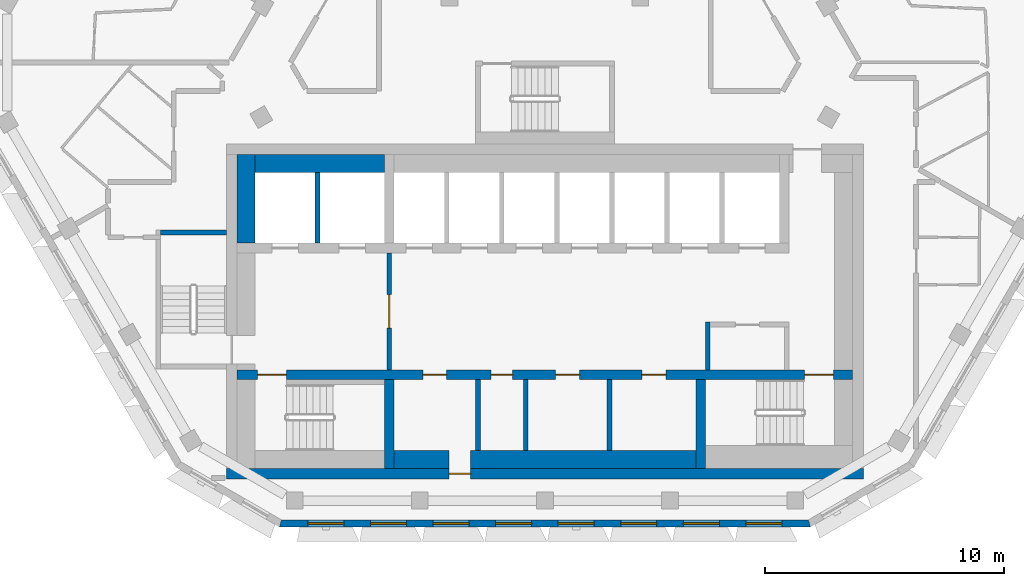
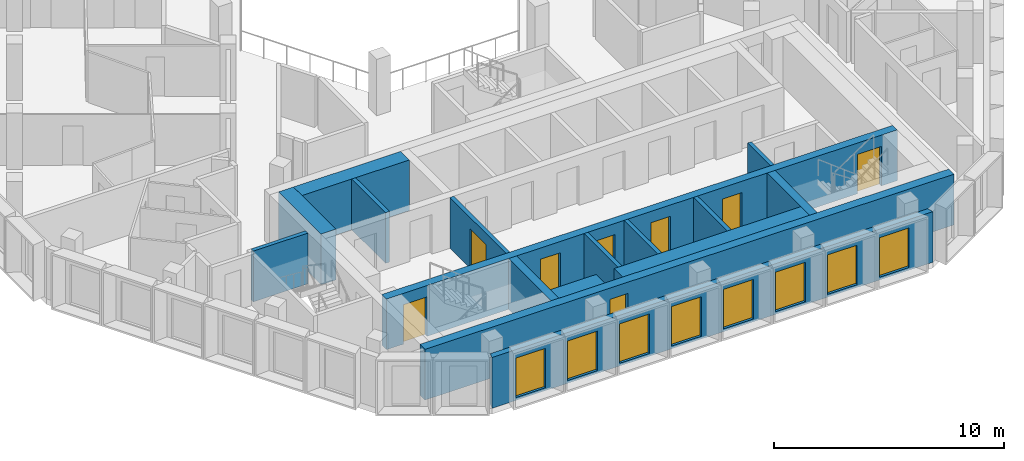
# One storey, part 3 of 16: 16 walls, 8 doors, 8 windows, 16 openings.
"""IFC4 building model written with IfcOpenShell, lengths in metres."""

from ifc_helpers import new_model, si_unit, direction, frame, frame_2d, origin, place, context, subcontext, project, spatial, polyline, rectangle, outline, extrude, material, layer, layer_set, type_object, element, fill, save


model = new_model("IFC4")

# Units and contexts
model_context = context("Model", 3, precision=1e-05, world=origin(), true_north=direction((0.0, 1.0)))
body_context = subcontext(model_context, "Body", "Model", "MODEL_VIEW")
ifc_project = project(units=[si_unit("LENGTHUNIT", "METRE"), si_unit("AREAUNIT", "SQUARE_METRE"), si_unit("VOLUMEUNIT", "CUBIC_METRE"), si_unit("PLANEANGLEUNIT", "RADIAN"), si_unit("MASSUNIT", "GRAM", prefix="KILO")], contexts=[model_context])

# Site, building, storey
site_placement = place(None, origin())
site = spatial("IfcSite", under=ifc_project, at=site_placement, CompositionType="ELEMENT")
building_placement = place(site_placement, origin())
building = spatial("IfcBuilding", under=site, at=building_placement, Name="Beryl Residences", CompositionType="ELEMENT")
storey_placement = place(building_placement, frame((0.0, 0.0, 220.800048828125)))
storey = spatial("IfcBuildingStorey", under=building, at=storey_placement, Name="L68", CompositionType="ELEMENT", Elevation=220.800048828125)

# Wall, openings, windows
ifc_material_1 = material(Name="Composite metal panel with mineral wool insulation")
ifc_layer_1 = layer(ifc_material_1, 0.300048828125)
ifc_layer_set_1 = layer_set([ifc_layer_1], Name="ES1 pale metal composite panel wall 300 mm")
wall_type_1 = type_object("IfcWallType", Name="ES1 pale metal composite panel wall 300 mm", PredefinedType="SOLIDWALL", material=ifc_layer_set_1)
wall_1_placement = place(storey_placement, frame((-11.0849609375, -20.85009765625, 0.0), z_axis=(0.0, 0.0, 1.0), x_axis=(1.0, 0.0, 0.0)))
wall_1 = element("IfcWall", 1, at=wall_1_placement, inside=storey, type_object=wall_type_1, Name="ES1 external wall L68 S", PredefinedType="SOLIDWALL", context=body_context, shape_type="SweptSolid", body=[
    extrude(outline(polyline([(0.0, -0.14990234375), (22.169921875, -0.14990234375), (22.089599609375, 0.14990234375), (0.080322265625, 0.14990234375), (0.0, -0.14990234375)])), origin(), (0.0, 0.0, 1.0), 2.699951171875),
])
opening_1_placement = place(wall_1_placement, frame((1.19091796875, 0.0, 0.14990234375)))
opening_1 = element("IfcOpeningElement", 2, at=opening_1_placement, cuts=wall_1, Name="Opening W1", PredefinedType="OPENING", context=body_context, shape_type="SweptSolid", body=[
    extrude(rectangle(XDim=1.5, YDim=2.10009765625, at=frame_2d((0.75, 1.050048828125))), frame((0.0, 0.159912109375, 0.0), z_axis=(0.0, -1.0, 0.0), x_axis=(1.0, 0.0, 0.0)), (0.0, 0.0, 1.0), 0.320068359375),
])
opening_2_placement = place(wall_1_placement, frame((3.803955078125, 0.0, 0.14990234375)))
opening_2 = element("IfcOpeningElement", 3, at=opening_2_placement, cuts=wall_1, Name="Opening W1", PredefinedType="OPENING", context=body_context, shape_type="SweptSolid", body=[
    extrude(rectangle(XDim=1.5, YDim=2.10009765625, at=frame_2d((0.75, 1.050048828125))), frame((0.0, 0.159912109375, 0.0), z_axis=(0.0, -1.0, 0.0), x_axis=(1.0, 0.0, 0.0)), (0.0, 0.0, 1.0), 0.320068359375),
])
opening_3_placement = place(wall_1_placement, frame((6.416015625, 0.0, 0.14990234375)))
opening_3 = element("IfcOpeningElement", 4, at=opening_3_placement, cuts=wall_1, Name="Opening W1", PredefinedType="OPENING", context=body_context, shape_type="SweptSolid", body=[
    extrude(rectangle(XDim=1.5, YDim=2.10009765625, at=frame_2d((0.75, 1.050048828125))), frame((0.0, 0.159912109375, 0.0), z_axis=(0.0, -1.0, 0.0), x_axis=(1.0, 0.0, 0.0)), (0.0, 0.0, 1.0), 0.320068359375),
])
opening_4_placement = place(wall_1_placement, frame((9.029052734375, 0.0, 0.14990234375)))
opening_4 = element("IfcOpeningElement", 5, at=opening_4_placement, cuts=wall_1, Name="Opening W1", PredefinedType="OPENING", context=body_context, shape_type="SweptSolid", body=[
    extrude(rectangle(XDim=1.5, YDim=2.10009765625, at=frame_2d((0.75, 1.050048828125))), frame((0.0, 0.159912109375, 0.0), z_axis=(0.0, -1.0, 0.0), x_axis=(1.0, 0.0, 0.0)), (0.0, 0.0, 1.0), 0.320068359375),
])
opening_5_placement = place(wall_1_placement, frame((11.64111328125, 0.0, 0.14990234375)))
opening_5 = element("IfcOpeningElement", 6, at=opening_5_placement, cuts=wall_1, Name="Opening W1", PredefinedType="OPENING", context=body_context, shape_type="SweptSolid", body=[
    extrude(rectangle(XDim=1.5, YDim=2.10009765625, at=frame_2d((0.75, 1.050048828125))), frame((0.0, 0.159912109375, 0.0), z_axis=(0.0, -1.0, 0.0), x_axis=(1.0, 0.0, 0.0)), (0.0, 0.0, 1.0), 0.320068359375),
])
opening_6_placement = place(wall_1_placement, frame((14.25390625, 0.0, 0.14990234375)))
opening_6 = element("IfcOpeningElement", 7, at=opening_6_placement, cuts=wall_1, Name="Opening W1", PredefinedType="OPENING", context=body_context, shape_type="SweptSolid", body=[
    extrude(rectangle(XDim=1.5, YDim=2.10009765625, at=frame_2d((0.75, 1.050048828125))), frame((0.0, 0.159912109375, 0.0), z_axis=(0.0, -1.0, 0.0), x_axis=(1.0, 0.0, 0.0)), (0.0, 0.0, 1.0), 0.320068359375),
])
opening_7_placement = place(wall_1_placement, frame((16.865966796875, 0.0, 0.14990234375)))
opening_7 = element("IfcOpeningElement", 8, at=opening_7_placement, cuts=wall_1, Name="Opening W1", PredefinedType="OPENING", context=body_context, shape_type="SweptSolid", body=[
    extrude(rectangle(XDim=1.5, YDim=2.10009765625, at=frame_2d((0.75, 1.050048828125))), frame((0.0, 0.159912109375, 0.0), z_axis=(0.0, -1.0, 0.0), x_axis=(1.0, 0.0, 0.0)), (0.0, 0.0, 1.0), 0.320068359375),
])
opening_8_placement = place(wall_1_placement, frame((19.47900390625, 0.0, 0.14990234375)))
opening_8 = element("IfcOpeningElement", 9, at=opening_8_placement, cuts=wall_1, Name="Opening W1", PredefinedType="OPENING", context=body_context, shape_type="SweptSolid", body=[
    extrude(rectangle(XDim=1.5, YDim=2.10009765625, at=frame_2d((0.75, 1.050048828125))), frame((0.0, 0.159912109375, 0.0), z_axis=(0.0, -1.0, 0.0), x_axis=(1.0, 0.0, 0.0)), (0.0, 0.0, 1.0), 0.320068359375),
])
ifc_material_2 = material(Name="Aluminium and clear glass", Category="aluminium")
window_type = type_object("IfcWindowType", Name="W1 cell window 1500 x 2100 mm", PartitioningType="SINGLE_PANEL", PredefinedType="WINDOW", material=ifc_material_2)
window_1_placement = place(opening_1_placement, origin())
window_1 = element("IfcWindow", 10, at=window_1_placement, inside=storey, type_object=window_type, Name="W1 window L68 S 1", OverallHeight=2.10009765625, OverallWidth=1.5, PartitioningType="SINGLE_PANEL", PredefinedType="WINDOW", context=body_context, shape_type="SweptSolid", body=[
    extrude(rectangle(XDim=1.5, YDim=2.10009765625, at=frame_2d((0.75, 1.050048828125))), frame((0.0, 0.030029296875, 0.0), z_axis=(0.0, -1.0, 0.0), x_axis=(1.0, 0.0, 0.0)), (0.0, 0.0, 1.0), 0.06005859375),
])
fill(opening_1, window_1)
window_2_placement = place(opening_2_placement, origin())
window_2 = element("IfcWindow", 11, at=window_2_placement, inside=storey, type_object=window_type, Name="W1 window L68 S 2", OverallHeight=2.10009765625, OverallWidth=1.5, PartitioningType="SINGLE_PANEL", PredefinedType="WINDOW", context=body_context, shape_type="SweptSolid", body=[
    extrude(rectangle(XDim=1.5, YDim=2.10009765625, at=frame_2d((0.75, 1.050048828125))), frame((0.0, 0.030029296875, 0.0), z_axis=(0.0, -1.0, 0.0), x_axis=(1.0, 0.0, 0.0)), (0.0, 0.0, 1.0), 0.06005859375),
])
fill(opening_2, window_2)
window_3_placement = place(opening_3_placement, origin())
window_3 = element("IfcWindow", 12, at=window_3_placement, inside=storey, type_object=window_type, Name="W1 window L68 S 3", OverallHeight=2.10009765625, OverallWidth=1.5, PartitioningType="SINGLE_PANEL", PredefinedType="WINDOW", context=body_context, shape_type="SweptSolid", body=[
    extrude(rectangle(XDim=1.5, YDim=2.10009765625, at=frame_2d((0.75, 1.050048828125))), frame((0.0, 0.030029296875, 0.0), z_axis=(0.0, -1.0, 0.0), x_axis=(1.0, 0.0, 0.0)), (0.0, 0.0, 1.0), 0.06005859375),
])
fill(opening_3, window_3)
window_4_placement = place(opening_4_placement, origin())
window_4 = element("IfcWindow", 13, at=window_4_placement, inside=storey, type_object=window_type, Name="W1 window L68 S 4", OverallHeight=2.10009765625, OverallWidth=1.5, PartitioningType="SINGLE_PANEL", PredefinedType="WINDOW", context=body_context, shape_type="SweptSolid", body=[
    extrude(rectangle(XDim=1.5, YDim=2.10009765625, at=frame_2d((0.75, 1.050048828125))), frame((0.0, 0.030029296875, 0.0), z_axis=(0.0, -1.0, 0.0), x_axis=(1.0, 0.0, 0.0)), (0.0, 0.0, 1.0), 0.06005859375),
])
fill(opening_4, window_4)
window_5_placement = place(opening_5_placement, origin())
window_5 = element("IfcWindow", 14, at=window_5_placement, inside=storey, type_object=window_type, Name="W1 window L68 S 5", OverallHeight=2.10009765625, OverallWidth=1.5, PartitioningType="SINGLE_PANEL", PredefinedType="WINDOW", context=body_context, shape_type="SweptSolid", body=[
    extrude(rectangle(XDim=1.5, YDim=2.10009765625, at=frame_2d((0.75, 1.050048828125))), frame((0.0, 0.030029296875, 0.0), z_axis=(0.0, -1.0, 0.0), x_axis=(1.0, 0.0, 0.0)), (0.0, 0.0, 1.0), 0.06005859375),
])
fill(opening_5, window_5)
window_6_placement = place(opening_6_placement, origin())
window_6 = element("IfcWindow", 15, at=window_6_placement, inside=storey, type_object=window_type, Name="W1 window L68 S 6", OverallHeight=2.10009765625, OverallWidth=1.5, PartitioningType="SINGLE_PANEL", PredefinedType="WINDOW", context=body_context, shape_type="SweptSolid", body=[
    extrude(rectangle(XDim=1.5, YDim=2.10009765625, at=frame_2d((0.75, 1.050048828125))), frame((0.0, 0.030029296875, 0.0), z_axis=(0.0, -1.0, 0.0), x_axis=(1.0, 0.0, 0.0)), (0.0, 0.0, 1.0), 0.06005859375),
])
fill(opening_6, window_6)
window_7_placement = place(opening_7_placement, origin())
window_7 = element("IfcWindow", 16, at=window_7_placement, inside=storey, type_object=window_type, Name="W1 window L68 S 7", OverallHeight=2.10009765625, OverallWidth=1.5, PartitioningType="SINGLE_PANEL", PredefinedType="WINDOW", context=body_context, shape_type="SweptSolid", body=[
    extrude(rectangle(XDim=1.5, YDim=2.10009765625, at=frame_2d((0.75, 1.050048828125))), frame((0.0, 0.030029296875, 0.0), z_axis=(0.0, -1.0, 0.0), x_axis=(1.0, 0.0, 0.0)), (0.0, 0.0, 1.0), 0.06005859375),
])
fill(opening_7, window_7)
window_8_placement = place(opening_8_placement, origin())
window_8 = element("IfcWindow", 17, at=window_8_placement, inside=storey, type_object=window_type, Name="W1 window L68 S 8", OverallHeight=2.10009765625, OverallWidth=1.5, PartitioningType="SINGLE_PANEL", PredefinedType="WINDOW", context=body_context, shape_type="SweptSolid", body=[
    extrude(rectangle(XDim=1.5, YDim=2.10009765625, at=frame_2d((0.75, 1.050048828125))), frame((0.0, 0.030029296875, 0.0), z_axis=(0.0, -1.0, 0.0), x_axis=(1.0, 0.0, 0.0)), (0.0, 0.0, 1.0), 0.06005859375),
])
fill(opening_8, window_8)

# Wall, opening, door
ifc_material_3 = material(Name="Concrete masonry", Category="masonry")
ifc_layer_2 = layer(ifc_material_3, 0.199951171875)
ifc_layer_set_2 = layer_set([ifc_layer_2], Name="PT13 lobby wall 200 mm")
wall_type_2 = type_object("IfcWallType", Name="PT13 lobby wall 200 mm", PredefinedType="PARTITIONING", material=ifc_layer_set_2)
wall_2_placement = place(storey_placement, frame((-6.5, -14.449951171875, 0.0), z_axis=(0.0, 0.0, 1.0), x_axis=(0.0, 1.0, 0.0)))
wall_2 = element("IfcWall", 18, at=wall_2_placement, inside=storey, type_object=wall_type_2, Name="Lobby wall 12", PredefinedType="PARTITIONING", context=body_context, shape_type="SweptSolid", body=[
    extrude(rectangle(XDim=4.89990234375, YDim=0.199951171875, at=frame_2d((2.449951171875, 0.0))), origin(), (0.0, 0.0, 1.0), 2.699951171875),
])
opening_9_placement = place(wall_2_placement, frame((3.14990234375, 0.0, 0.0), z_axis=(0.0, 0.0, 1.0), x_axis=(-1.0, 0.0, 0.0)))
opening_9 = element("IfcOpeningElement", 19, at=opening_9_placement, cuts=wall_2, Name="Opening FD-FFL", PredefinedType="OPENING", context=body_context, shape_type="SweptSolid", body=[
    extrude(rectangle(XDim=1.39990234375, YDim=2.10009765625, at=frame_2d((0.699951171875, 1.050048828125))), frame((0.0, 0.10986328125, 0.0), z_axis=(0.0, -1.0, 0.0), x_axis=(1.0, 0.0, 0.0)), (0.0, 0.0, 1.0), 0.219970703125),
])
ifc_material_4 = material(Name="Steel door leaf in steel frame", Category="steel")
door_type_1 = type_object("IfcDoorType", Name="D5 lobby door 1400 x 2100 mm", OperationType="DOUBLE_DOOR_SINGLE_SWING", PredefinedType="DOOR", material=ifc_material_4)
door_1_placement = place(opening_9_placement, origin())
door_1 = element("IfcDoor", 20, at=door_1_placement, inside=storey, type_object=door_type_1, Name="Door FD-FFL L68 001", OperationType="DOUBLE_DOOR_SINGLE_SWING", OverallHeight=2.10009765625, OverallWidth=1.39990234375, PredefinedType="DOOR", context=body_context, shape_type="SweptSolid", body=[
    extrude(rectangle(XDim=1.39990234375, YDim=2.10009765625, at=frame_2d((0.699951171875, 1.050048828125))), frame((0.0, 0.02490234375, 0.0), z_axis=(0.0, -1.0, 0.0), x_axis=(1.0, 0.0, 0.0)), (0.0, 0.0, 1.0), 0.050048828125),
])
fill(opening_9, door_1)

# Walls
wall_3_placement = place(storey_placement, frame((6.800048828125, -14.449951171875, 0.0), z_axis=(0.0, 0.0, 1.0), x_axis=(0.0, 1.0, 0.0)))
element("IfcWall", 21, at=wall_3_placement, inside=storey, type_object=wall_type_2, Name="Lobby wall 25", PredefinedType="PARTITIONING", context=body_context, shape_type="SweptSolid", body=[
    extrude(rectangle(XDim=2.0, YDim=0.199951171875, at=frame_2d((1.0, 0.0))), origin(), (0.0, 0.0, 1.0), 2.699951171875),
])
ifc_material_5 = material(Name="Concrete C40/50", Category="concrete")
ifc_layer_3 = layer(ifc_material_5, 0.199951171875)
ifc_layer_set_3 = layer_set([ifc_layer_3], Name="PT5 stair enclosure wall 200 mm reinforced concrete C40/50")
wall_type_3 = type_object("IfcWallType", Name="PT5 stair enclosure wall 200 mm reinforced concrete C40/50", PredefinedType="SOLIDWALL", material=ifc_layer_set_3)
wall_4_placement = place(storey_placement, frame((-16.050048828125, -8.699951171875, 0.0), z_axis=(0.0, 0.0, 1.0), x_axis=(1.0, 0.0, 0.0)))
element("IfcWall", 22, at=wall_4_placement, inside=storey, type_object=wall_type_3, Name="Stair wall 03", PredefinedType="SOLIDWALL", context=body_context, shape_type="SweptSolid", body=[
    extrude(rectangle(XDim=2.75, YDim=0.199951171875, at=frame_2d((1.375, 0.0))), origin(), (0.0, 0.0, 1.0), 2.699951171875),
])
ifc_material_6 = material(Name="Concrete C40/50", Category="concrete")
ifc_layer_4 = layer(ifc_material_6, 0.199951171875)
ifc_layer_set_4 = layer_set([ifc_layer_4], Name="PT6 lift shaft wall 200 mm reinforced concrete C40/50")
wall_type_4 = type_object("IfcWallType", Name="PT6 lift shaft wall 200 mm reinforced concrete C40/50", PredefinedType="SOLIDWALL", material=ifc_layer_set_4)
wall_5_placement = place(storey_placement, frame((-9.5, -9.14990234375, 0.0), z_axis=(0.0, 0.0, 1.0), x_axis=(0.0, 1.0, 0.0)))
element("IfcWall", 23, at=wall_5_placement, inside=storey, type_object=wall_type_4, Name="Lift shaft wall 11", PredefinedType="SOLIDWALL", context=body_context, shape_type="SweptSolid", body=[
    extrude(rectangle(XDim=2.949951171875, YDim=0.199951171875, at=frame_2d((1.47509765625, 0.0))), origin(), (0.0, 0.0, 1.0), 2.699951171875),
])
ifc_material_7 = material(Name="Concrete C40/50", Category="concrete")
ifc_layer_5 = layer(ifc_material_7, 0.75)
ifc_layer_set_5 = layer_set([ifc_layer_5], Name="PT6-750 lift shaft wall 750 mm")
wall_type_5 = type_object("IfcWallType", Name="PT6-750 lift shaft wall 750 mm", PredefinedType="SOLIDWALL", material=ifc_layer_set_5)
wall_6_placement = place(storey_placement, frame((-12.47509765625, -9.14990234375, 0.0), z_axis=(0.0, 0.0, 1.0), x_axis=(0.0, 1.0, 0.0)))
element("IfcWall", 24, at=wall_6_placement, inside=storey, type_object=wall_type_5, Name="Lift shaft wall 07", PredefinedType="SOLIDWALL", context=body_context, shape_type="SweptSolid", body=[
    extrude(rectangle(XDim=3.699951171875, YDim=0.75, at=frame_2d((1.85009765625, 0.0))), origin(), (0.0, 0.0, 1.0), 2.699951171875),
])
wall_7_placement = place(storey_placement, frame((-12.10009765625, -5.824951171875, 0.0), z_axis=(0.0, 0.0, 1.0), x_axis=(1.0, 0.0, 0.0)))
element("IfcWall", 25, at=wall_7_placement, inside=storey, type_object=wall_type_5, Name="Lift shaft wall 09", PredefinedType="SOLIDWALL", context=body_context, shape_type="SweptSolid", body=[
    extrude(rectangle(XDim=5.400146484375, YDim=0.75, at=frame_2d((2.7001953125, 0.0))), origin(), (0.0, 0.0, 1.0), 2.699951171875),
])
ifc_material_8 = material(Name="Concrete masonry", Category="masonry")
ifc_layer_6 = layer(ifc_material_8, 0.199951171875)
ifc_layer_set_6 = layer_set([ifc_layer_6], Name="PT8-200 service room wall 200 mm")
wall_type_6 = type_object("IfcWallType", Name="PT8-200 service room wall 200 mm", PredefinedType="PARTITIONING", material=ifc_layer_set_6)
for number, where, z_axis, x_axis, name in (
    (26, (-2.800048828125, -17.800048828125, 0.0), (0.0, 0.0, 1.0), (0.0, 1.0, 0.0), "Core room wall 17"),
    (27, (-0.800048828125, -17.800048828125, 0.0), (0.0, 0.0, 1.0), (0.0, 1.0, 0.0), "Core room wall 19"),
    (28, (2.699951171875, -17.800048828125, 0.0), (0.0, 0.0, 1.0), (0.0, 1.0, 0.0), "Core room wall 21"),
):
    element("IfcWall", number, at=place(storey_placement, frame(where, z_axis=z_axis, x_axis=x_axis)), inside=storey, type_object=wall_type_6, Name=name, PredefinedType="PARTITIONING", context=body_context, shape_type="SweptSolid", body=[
        extrude(rectangle(XDim=2.949951171875, YDim=0.199951171875, at=frame_2d((1.47509765625, 0.0))), origin(), (0.0, 0.0, 1.0), 2.699951171875),
    ])
ifc_material_9 = material(Name="Concrete masonry", Category="masonry")
ifc_layer_7 = layer(ifc_material_9, 0.75)
ifc_layer_set_7 = layer_set([ifc_layer_7], Name="PT8-750 service room wall 750 mm")
wall_type_7 = type_object("IfcWallType", Name="PT8-750 service room wall 750 mm", PredefinedType="PARTITIONING", material=ifc_layer_set_7)
wall_8_placement = place(storey_placement, frame((-6.300048828125, -18.175048828125, 0.0), z_axis=(0.0, 0.0, 1.0), x_axis=(1.0, 0.0, 0.0)))
element("IfcWall", 29, at=wall_8_placement, inside=storey, type_object=wall_type_7, Name="Core room wall 13", PredefinedType="PARTITIONING", context=body_context, shape_type="SweptSolid", body=[
    extrude(rectangle(XDim=2.300048828125, YDim=0.75, at=frame_2d((1.14990234375, 0.0))), origin(), (0.0, 0.0, 1.0), 2.699951171875),
])
wall_9_placement = place(storey_placement, frame((-3.10009765625, -18.175048828125, 0.0), z_axis=(0.0, 0.0, 1.0), x_axis=(1.0, 0.0, 0.0)))
element("IfcWall", 30, at=wall_9_placement, inside=storey, type_object=wall_type_7, Name="Core room wall 16", PredefinedType="PARTITIONING", context=body_context, shape_type="SweptSolid", body=[
    extrude(rectangle(XDim=9.400146484375, YDim=0.75, at=frame_2d((4.7001953125, 0.0))), origin(), (0.0, 0.0, 1.0), 2.699951171875),
])

# Wall, openings, doors
ifc_material_10 = material(Name="Concrete C50/60", Category="concrete")
ifc_layer_8 = layer(ifc_material_10, 0.39990234375)
ifc_layer_set_8 = layer_set([ifc_layer_8], Name="SW10 core internal wall 400 mm C50/60")
wall_type_8 = type_object("IfcWallType", Name="SW10 core internal wall 400 mm C50/60", PredefinedType="SHEAR", material=ifc_layer_set_8)
wall_10_placement = place(storey_placement, frame((-12.85009765625, -14.64990234375, 0.0), z_axis=(0.0, 0.0, 1.0), x_axis=(1.0, 0.0, 0.0)))
wall_10 = element("IfcWall", 31, at=wall_10_placement, inside=storey, type_object=wall_type_8, Name="Core wall SP1 L68", PredefinedType="SHEAR", context=body_context, shape_type="SweptSolid", body=[
    extrude(rectangle(XDim=25.7001953125, YDim=0.39990234375, at=frame_2d((12.85009765625, 0.0))), origin(), (0.0, 0.0, 1.0), 2.699951171875),
])
opening_10_placement = place(wall_10_placement, frame((2.050048828125, 0.0, 0.0), z_axis=(0.0, 0.0, 1.0), x_axis=(-1.0, 0.0, 0.0)))
opening_10 = element("IfcOpeningElement", 32, at=opening_10_placement, cuts=wall_10, Name="Opening SD-1", PredefinedType="OPENING", context=body_context, shape_type="SweptSolid", body=[
    extrude(rectangle(XDim=1.199951171875, YDim=2.10009765625, at=frame_2d((0.60009765625, 1.050048828125))), frame((0.0, 0.2099609375, 0.0), z_axis=(0.0, -1.0, 0.0), x_axis=(1.0, 0.0, 0.0)), (0.0, 0.0, 1.0), 0.419921875),
])
opening_11_placement = place(wall_10_placement, frame((24.89990234375, 0.0, 0.0), z_axis=(0.0, 0.0, 1.0), x_axis=(-1.0, 0.0, 0.0)))
opening_11 = element("IfcOpeningElement", 33, at=opening_11_placement, cuts=wall_10, Name="Opening SD-3", PredefinedType="OPENING", context=body_context, shape_type="SweptSolid", body=[
    extrude(rectangle(XDim=1.199951171875, YDim=2.10009765625, at=frame_2d((0.60009765625, 1.050048828125))), frame((0.0, 0.2099609375, 0.0), z_axis=(0.0, -1.0, 0.0), x_axis=(1.0, 0.0, 0.0)), (0.0, 0.0, 1.0), 0.419921875),
])
opening_12_placement = place(wall_10_placement, frame((8.75, 0.0, 0.0), z_axis=(0.0, 0.0, 1.0), x_axis=(-1.0, 0.0, 0.0)))
opening_12 = element("IfcOpeningElement", 34, at=opening_12_placement, cuts=wall_10, Name="Opening CD-D-S1", PredefinedType="OPENING", context=body_context, shape_type="SweptSolid", body=[
    extrude(rectangle(XDim=1.0, YDim=2.10009765625, at=frame_2d((0.5, 1.050048828125))), frame((0.0, 0.2099609375, 0.0), z_axis=(0.0, -1.0, 0.0), x_axis=(1.0, 0.0, 0.0)), (0.0, 0.0, 1.0), 0.419921875),
])
opening_13_placement = place(wall_10_placement, frame((11.5, 0.0, 0.0), z_axis=(0.0, 0.0, 1.0), x_axis=(-1.0, 0.0, 0.0)))
opening_13 = element("IfcOpeningElement", 35, at=opening_13_placement, cuts=wall_10, Name="Opening CD-D-S2-900", PredefinedType="OPENING", context=body_context, shape_type="SweptSolid", body=[
    extrude(rectangle(XDim=0.89990234375, YDim=2.10009765625, at=frame_2d((0.449951171875, 1.050048828125))), frame((0.0, 0.2099609375, 0.0), z_axis=(0.0, -1.0, 0.0), x_axis=(1.0, 0.0, 0.0)), (0.0, 0.0, 1.0), 0.419921875),
])
opening_14_placement = place(wall_10_placement, frame((14.300048828125, 0.0, 0.0), z_axis=(0.0, 0.0, 1.0), x_axis=(-1.0, 0.0, 0.0)))
opening_14 = element("IfcOpeningElement", 36, at=opening_14_placement, cuts=wall_10, Name="Opening CD-D-S3", PredefinedType="OPENING", context=body_context, shape_type="SweptSolid", body=[
    extrude(rectangle(XDim=1.0, YDim=2.10009765625, at=frame_2d((0.5, 1.050048828125))), frame((0.0, 0.2099609375, 0.0), z_axis=(0.0, -1.0, 0.0), x_axis=(1.0, 0.0, 0.0)), (0.0, 0.0, 1.0), 0.419921875),
])
opening_15_placement = place(wall_10_placement, frame((17.89990234375, 0.0, 0.0), z_axis=(0.0, 0.0, 1.0), x_axis=(-1.0, 0.0, 0.0)))
opening_15 = element("IfcOpeningElement", 37, at=opening_15_placement, cuts=wall_10, Name="Opening CD-D-S4", PredefinedType="OPENING", context=body_context, shape_type="SweptSolid", body=[
    extrude(rectangle(XDim=1.0, YDim=2.10009765625, at=frame_2d((0.5, 1.050048828125))), frame((0.0, 0.2099609375, 0.0), z_axis=(0.0, -1.0, 0.0), x_axis=(1.0, 0.0, 0.0)), (0.0, 0.0, 1.0), 0.419921875),
])
ifc_material_11 = material(Name="Steel door leaf in steel frame", Category="steel")
door_type_2 = type_object("IfcDoorType", Name="D18 service room door 1000 x 2100 mm", OperationType="SINGLE_SWING_LEFT", PredefinedType="DOOR", material=ifc_material_11)
door_2_placement = place(opening_12_placement, origin())
door_2 = element("IfcDoor", 38, at=door_2_placement, inside=storey, type_object=door_type_2, Name="Door CD-D-S1 L68 001", OperationType="SINGLE_SWING_RIGHT", OverallHeight=2.10009765625, OverallWidth=1.0, PredefinedType="DOOR", context=body_context, shape_type="SweptSolid", body=[
    extrude(rectangle(XDim=1.0, YDim=2.10009765625, at=frame_2d((0.5, 1.050048828125))), frame((0.0, 0.02490234375, 0.0), z_axis=(0.0, -1.0, 0.0), x_axis=(1.0, 0.0, 0.0)), (0.0, 0.0, 1.0), 0.050048828125),
])
fill(opening_12, door_2)
door_3_placement = place(opening_14_placement, origin())
door_3 = element("IfcDoor", 39, at=door_3_placement, inside=storey, type_object=door_type_2, Name="Door CD-D-S3 L68 001", OperationType="SINGLE_SWING_RIGHT", OverallHeight=2.10009765625, OverallWidth=1.0, PredefinedType="DOOR", context=body_context, shape_type="SweptSolid", body=[
    extrude(rectangle(XDim=1.0, YDim=2.10009765625, at=frame_2d((0.5, 1.050048828125))), frame((0.0, 0.02490234375, 0.0), z_axis=(0.0, -1.0, 0.0), x_axis=(1.0, 0.0, 0.0)), (0.0, 0.0, 1.0), 0.050048828125),
])
fill(opening_14, door_3)
door_4_placement = place(opening_15_placement, origin())
door_4 = element("IfcDoor", 40, at=door_4_placement, inside=storey, type_object=door_type_2, Name="Door CD-D-S4 L68 001", OperationType="SINGLE_SWING_LEFT", OverallHeight=2.10009765625, OverallWidth=1.0, PredefinedType="DOOR", context=body_context, shape_type="SweptSolid", body=[
    extrude(rectangle(XDim=1.0, YDim=2.10009765625, at=frame_2d((0.5, 1.050048828125))), frame((0.0, 0.02490234375, 0.0), z_axis=(0.0, -1.0, 0.0), x_axis=(1.0, 0.0, 0.0)), (0.0, 0.0, 1.0), 0.050048828125),
])
fill(opening_15, door_4)
ifc_material_12 = material(Name="Steel door leaf in steel frame", Category="steel")
door_type_3 = type_object("IfcDoorType", Name="D4 stair door 1200 x 2100 mm", OperationType="SINGLE_SWING_LEFT", PredefinedType="DOOR", material=ifc_material_12)
door_5_placement = place(opening_10_placement, origin())
door_5 = element("IfcDoor", 41, at=door_5_placement, inside=storey, type_object=door_type_3, Name="Door SD-1 L68 001", OperationType="SINGLE_SWING_RIGHT", OverallHeight=2.10009765625, OverallWidth=1.199951171875, PredefinedType="DOOR", context=body_context, shape_type="SweptSolid", body=[
    extrude(rectangle(XDim=1.199951171875, YDim=2.10009765625, at=frame_2d((0.60009765625, 1.050048828125))), frame((0.0, 0.02490234375, 0.0), z_axis=(0.0, -1.0, 0.0), x_axis=(1.0, 0.0, 0.0)), (0.0, 0.0, 1.0), 0.050048828125),
])
fill(opening_10, door_5)
door_6_placement = place(opening_11_placement, origin())
door_6 = element("IfcDoor", 42, at=door_6_placement, inside=storey, type_object=door_type_3, Name="Door SD-3 L68 001", OperationType="SINGLE_SWING_RIGHT", OverallHeight=2.10009765625, OverallWidth=1.199951171875, PredefinedType="DOOR", context=body_context, shape_type="SweptSolid", body=[
    extrude(rectangle(XDim=1.199951171875, YDim=2.10009765625, at=frame_2d((0.60009765625, 1.050048828125))), frame((0.0, 0.02490234375, 0.0), z_axis=(0.0, -1.0, 0.0), x_axis=(1.0, 0.0, 0.0)), (0.0, 0.0, 1.0), 0.050048828125),
])
fill(opening_11, door_6)
ifc_material_13 = material(Name="Steel door leaf in steel frame", Category="steel")
door_type_4 = type_object("IfcDoorType", Name="D6 service room door 900 x 2100 mm", OperationType="SINGLE_SWING_LEFT", PredefinedType="DOOR", material=ifc_material_13)
door_7_placement = place(opening_13_placement, origin())
door_7 = element("IfcDoor", 43, at=door_7_placement, inside=storey, type_object=door_type_4, Name="Door CD-D-S2-900 L68 001", OperationType="SINGLE_SWING_LEFT", OverallHeight=2.10009765625, OverallWidth=0.89990234375, PredefinedType="DOOR", context=body_context, shape_type="SweptSolid", body=[
    extrude(rectangle(XDim=0.89990234375, YDim=2.10009765625, at=frame_2d((0.449951171875, 1.050048828125))), frame((0.0, 0.02490234375, 0.0), z_axis=(0.0, -1.0, 0.0), x_axis=(1.0, 0.0, 0.0)), (0.0, 0.0, 1.0), 0.050048828125),
])
fill(opening_13, door_7)

# Walls
for number, where, z_axis, x_axis, name in (
    (44, (-6.5, -18.550048828125, 0.0), (0.0, 0.0, 1.0), (0.0, 1.0, 0.0), "Core wall XS1 L68"),
    (45, (6.5, -18.550048828125, 0.0), (0.0, 0.0, 1.0), (0.0, 1.0, 0.0), "Core wall XS2 L68"),
):
    element("IfcWall", number, at=place(storey_placement, frame(where, z_axis=z_axis, x_axis=x_axis)), inside=storey, type_object=wall_type_8, Name=name, PredefinedType="SHEAR", context=body_context, shape_type="SweptSolid", body=[
        extrude(rectangle(XDim=3.699951171875, YDim=0.39990234375, at=frame_2d((1.85009765625, 0.0))), origin(), (0.0, 0.0, 1.0), 2.699951171875),
    ])

# Wall, opening, door
ifc_material_14 = material(Name="Concrete C50/60", Category="concrete")
ifc_layer_9 = layer(ifc_material_14, 0.449951171875)
ifc_layer_set_9 = layer_set([ifc_layer_9], Name="SW5 core outer wall 450 mm C50/60")
wall_type_9 = type_object("IfcWallType", Name="SW5 core outer wall 450 mm C50/60", PredefinedType="SHEAR", material=ifc_layer_set_9)
wall_11_placement = place(storey_placement, frame((-13.300048828125, -18.77490234375, 0.0), z_axis=(0.0, 0.0, 1.0), x_axis=(1.0, 0.0, 0.0)))
wall_11 = element("IfcWall", 46, at=wall_11_placement, inside=storey, type_object=wall_type_9, Name="Core wall S L68", PredefinedType="SHEAR", context=body_context, shape_type="SweptSolid", body=[
    extrude(rectangle(XDim=26.60009765625, YDim=0.449951171875, at=frame_2d((13.300048828125, 0.0))), origin(), (0.0, 0.0, 1.0), 2.699951171875),
])
opening_16_placement = place(wall_11_placement, frame((9.300048828125, 0.0, 0.0)))
opening_16 = element("IfcOpeningElement", 47, at=opening_16_placement, cuts=wall_11, Name="Opening RD-RS", PredefinedType="OPENING", context=body_context, shape_type="SweptSolid", body=[
    extrude(rectangle(XDim=0.89990234375, YDim=2.10009765625, at=frame_2d((0.449951171875, 1.050048828125))), frame((0.0, 0.23486328125, 0.0), z_axis=(0.0, -1.0, 0.0), x_axis=(1.0, 0.0, 0.0)), (0.0, 0.0, 1.0), 0.469970703125),
])
ifc_material_15 = material(Name="Steel door leaf in steel frame", Category="steel")
door_type_5 = type_object("IfcDoorType", Name="D23 riser door 900 x 2100 mm", OperationType="SINGLE_SWING_LEFT", PredefinedType="DOOR", material=ifc_material_15)
door_8_placement = place(opening_16_placement, origin())
door_8 = element("IfcDoor", 48, at=door_8_placement, inside=storey, type_object=door_type_5, Name="Door RD-RS L68 001", OperationType="SINGLE_SWING_RIGHT", OverallHeight=2.10009765625, OverallWidth=0.89990234375, PredefinedType="DOOR", context=body_context, shape_type="SweptSolid", body=[
    extrude(rectangle(XDim=0.89990234375, YDim=2.10009765625, at=frame_2d((0.449951171875, 1.050048828125))), frame((0.0, 0.02490234375, 0.0), z_axis=(0.0, -1.0, 0.0), x_axis=(1.0, 0.0, 0.0)), (0.0, 0.0, 1.0), 0.050048828125),
])
fill(opening_16, door_8)

save(model, "model.ifc")
